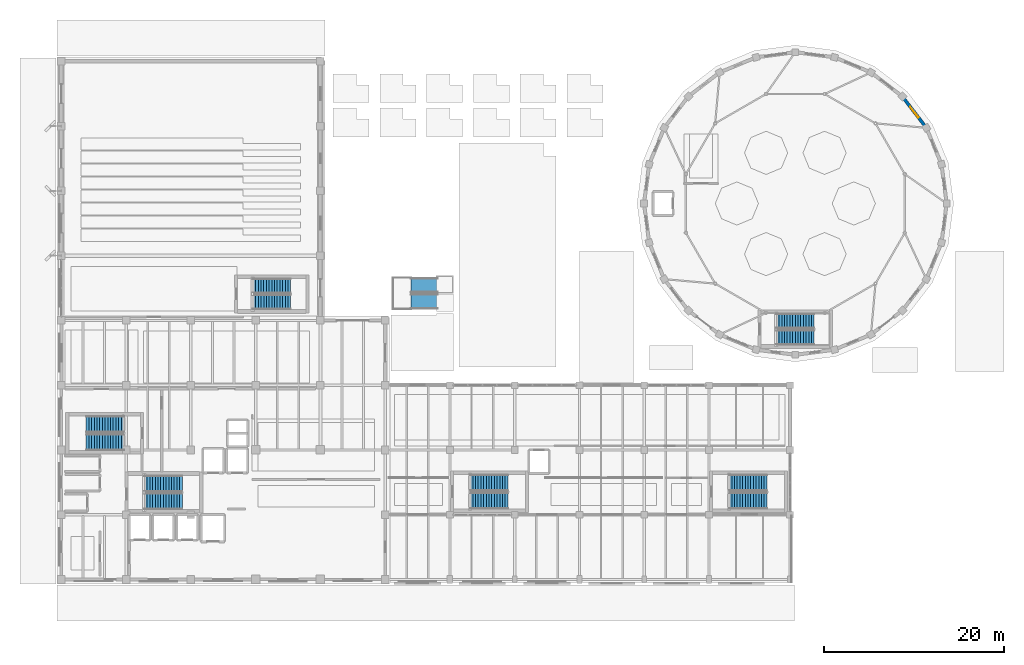
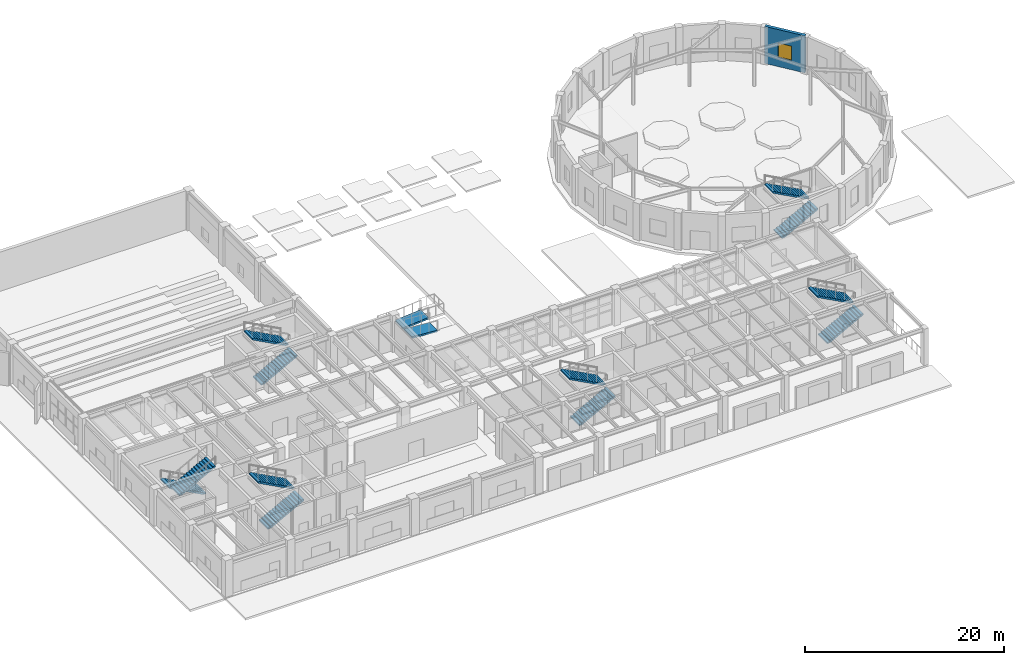
# One storey, part 29 of 39: 12 stair flights, 2 ramp flights, 1 wall, 1 window, 1 opening, 7 elements without a shape of their own.
"""IFC4 building model written with IfcOpenShell, lengths in metres."""

import ifcopenshell
import ifcopenshell.guid

model = None  # the IFC model being written
_history = None  # IfcOwnerHistory: only IFC2X3 demands one
_inside = {}  # id of a spatial element -> (the spatial element, [elements in it])
_under = {}  # id of a project, library or spatial element -> (it, [spatial elements below it])
_declared = {}  # id of a project -> (the project, [libraries it declares])
_typed = {}  # id of a type object -> (the type object, [elements of that type])
_made_of = {}  # id of a material, layer set ... -> (it, [elements and type objects made of it])


def new_model(schema):
    """Start an empty IFC model of exactly this schema.

    Asked for "IFC4X3", IfcOpenShell would pick the latest addendum, in which some entities
    have other attributes; the version numbers below select the first issue.
    IFC2X3 requires an IfcOwnerHistory on every rooted entity: one is made here for all.
    """
    global model, _history
    if schema == "IFC4X3":
        model = ifcopenshell.file(schema_version=(4, 3, 0, 0))
    else:
        model = ifcopenshell.file(schema=schema)
    _inside.clear()
    _under.clear()
    _declared.clear()
    _typed.clear()
    _made_of.clear()
    _history = None
    if model.schema == "IFC2X3":
        org = make("IfcOrganization", Name="unknown")
        user = make(
            "IfcPersonAndOrganization",
            ThePerson=make("IfcPerson", FamilyName="unknown"),
            TheOrganization=org,
        )
        app = make(
            "IfcApplication",
            ApplicationDeveloper=org,
            Version="unknown",
            ApplicationFullName="unknown",
            ApplicationIdentifier="unknown",
        )
        _history = make(
            "IfcOwnerHistory",
            OwningUser=user,
            OwningApplication=app,
            ChangeAction="ADDED",
            CreationDate=0,
        )
    return model


def make(cls, **values):
    """One entity of the class cls with the attributes given. An attribute that is None is left unset."""
    return model.create_entity(
        cls, **{name: value for name, value in values.items() if value is not None}
    )


def rooted(cls, **values):
    """An entity with a GlobalId (a new one), such as an element, a storey or a relation."""
    return make(cls, GlobalId=ifcopenshell.guid.new(), OwnerHistory=_history, **values)


def si_unit(unit_type, name, prefix=None):
    """IfcSIUnit, for example si_unit("LENGTHUNIT", "METRE", prefix="MILLI")."""
    return make("IfcSIUnit", UnitType=unit_type, Prefix=prefix, Name=name)


def assignment(units):
    """IfcUnitAssignment: the units of a project."""
    return None if units is None else make("IfcUnitAssignment", Units=units)


def point(xyz):
    """IfcCartesianPoint."""
    return None if xyz is None else make("IfcCartesianPoint", Coordinates=xyz)


def direction(xyz):
    """IfcDirection."""
    return None if xyz is None else make("IfcDirection", DirectionRatios=xyz)


def frame(location, z_axis=None, x_axis=None):
    """IfcAxis2Placement3D, a coordinate frame: its origin and axes. An axis left out is left unset."""
    return make(
        "IfcAxis2Placement3D",
        Location=point(location),
        Axis=direction(z_axis),
        RefDirection=direction(x_axis),
    )


def frame_2d(location, x_axis=None):
    """IfcAxis2Placement2D, a coordinate frame in the plane: its origin and x axis."""
    return make(
        "IfcAxis2Placement2D", Location=point(location), RefDirection=direction(x_axis)
    )


def origin():
    """The frame at (0, 0, 0) with its axes left unset."""
    return frame((0.0, 0.0, 0.0))


def place(relative_to, where):
    """IfcLocalPlacement: puts the frame where relative to a parent placement (None: the world)."""
    return make(
        "IfcLocalPlacement", PlacementRelTo=relative_to, RelativePlacement=where
    )


def context(
    kind, dimensions, precision=None, world=None, true_north=None, identifier=None
):
    """IfcGeometricRepresentationContext, for example the 3D "Model" context."""
    return make(
        "IfcGeometricRepresentationContext",
        ContextIdentifier=identifier,
        ContextType=kind,
        CoordinateSpaceDimension=dimensions,
        Precision=precision,
        WorldCoordinateSystem=world,
        TrueNorth=true_north,
    )


def subcontext(parent, identifier, kind, view, scale=None):
    """IfcGeometricRepresentationSubContext, for example "Body" below "Model"."""
    return make(
        "IfcGeometricRepresentationSubContext",
        ContextIdentifier=identifier,
        ContextType=kind,
        ParentContext=parent,
        TargetScale=scale,
        TargetView=view,
    )


def project(units=None, contexts=None):
    """IfcProject with its units and contexts."""
    return rooted(
        "IfcProject",
        Name="project",
        RepresentationContexts=contexts,
        UnitsInContext=assignment(units),
    )


def spatial(cls, under=None, at=None, **own):
    """A site, building, storey or space (cls), placed at a placement, below another one or the project."""
    s = rooted(cls, ObjectPlacement=at, **own)
    if under is not None:
        _under.setdefault(under.id(), (under, []))[1].append(s)
    return s


def polyline(points):
    """IfcPolyline through the points."""
    return make("IfcPolyline", Points=[point(p) for p in points])


def profile(cls, at=None, kind="AREA", **sizes):
    """A parametric profile (cls). Its sizes go by their IFC names, for example OverallWidth=200.0."""
    return make(cls, ProfileType=kind, Position=at, **sizes)


def rectangle(**sizes):
    """IfcRectangleProfileDef."""
    return profile("IfcRectangleProfileDef", **sizes)


def outline(outer, holes=None, kind="AREA"):
    """IfcArbitraryClosedProfileDef: a profile drawn as a closed curve; with holes, ...WithVoids."""
    if holes is None:
        return make("IfcArbitraryClosedProfileDef", ProfileType=kind, OuterCurve=outer)
    return make(
        "IfcArbitraryProfileDefWithVoids",
        ProfileType=kind,
        OuterCurve=outer,
        InnerCurves=holes,
    )


def extrude(swept, where, along, depth):
    """IfcExtrudedAreaSolid: the profile swept, set in the frame where, extruded along a direction by depth."""
    return make(
        "IfcExtrudedAreaSolid",
        SweptArea=swept,
        Position=where,
        ExtrudedDirection=direction(along),
        Depth=depth,
    )


def shape(context_of_items, identifier, shape_type, items):
    """IfcShapeRepresentation: the items that make up one representation, for example the "Body"."""
    return make(
        "IfcShapeRepresentation",
        ContextOfItems=context_of_items,
        RepresentationIdentifier=identifier,
        RepresentationType=shape_type,
        Items=items,
    )


def material(Name=None, Category=None):
    """IfcMaterial."""
    return make("IfcMaterial", Name=Name, Category=Category)


def layer(
    of_material, thickness, ventilated=None, Name=None, Category=None, Priority=None
):
    """IfcMaterialLayer: one layer of a wall or slab, of a material (None: an air gap)."""
    return make(
        "IfcMaterialLayer",
        Material=of_material,
        LayerThickness=thickness,
        IsVentilated=ventilated,
        Name=Name,
        Category=Category,
        Priority=Priority,
    )


def layer_set(layers, Name=None):
    """IfcMaterialLayerSet."""
    return make("IfcMaterialLayerSet", MaterialLayers=layers, LayerSetName=Name)


def made_of(thing, what):
    """Note that an element or type object is made of a material, layer set ...; save() writes the relation."""
    if what is not None:
        _made_of.setdefault(what.id(), (what, []))[1].append(thing)
    return thing


def type_object(cls, material=None, **own):
    """A type object (cls), such as IfcWallType, which elements share."""
    return made_of(rooted(cls, **own), material)


def element(
    cls,
    number,
    at=None,
    inside=None,
    cuts=None,
    type_object=None,
    material=None,
    context=None,
    identifier="Body",
    shape_type=None,
    held_by="IfcProductDefinitionShape",
    body=None,
    shapes=None,
    **own,
):
    """One element of the class cls, such as IfcWall. Its Tag is "e" and its number.

    at: its placement. inside: the storey or other place that contains it. cuts: it is an
    opening in that element (IfcRelVoidsElement). A single representation is given by context,
    identifier, shape_type and body (its items); several are given by shapes. held_by: the class
    of the entity that holds the representations. save() writes the other relations.
    """
    e = rooted(cls, Tag="e%d" % number, ObjectPlacement=at, **own)
    if body is not None:
        shapes = [shape(context, identifier, shape_type, body)]
    if shapes is not None:
        e.Representation = make(held_by, Representations=shapes)
    if inside is not None:
        _inside.setdefault(inside.id(), (inside, []))[1].append(e)
    if cuts is not None:
        rooted(
            "IfcRelVoidsElement", RelatingBuildingElement=cuts, RelatedOpeningElement=e
        )
    if type_object is not None:
        _typed.setdefault(type_object.id(), (type_object, []))[1].append(e)
    return made_of(e, material)


def fill(opening, filler):
    """IfcRelFillsElement: the door or window that sits in an opening."""
    return rooted(
        "IfcRelFillsElement",
        RelatingOpeningElement=opening,
        RelatedBuildingElement=filler,
    )


def aggregate(whole, parts):
    """IfcRelAggregates: a whole, such as a stair, and the parts it consists of."""
    return rooted("IfcRelAggregates", RelatingObject=whole, RelatedObjects=parts)


def save(model, path):
    """Write the relations noted so far, then the file.

    IfcRelAggregates (storeys below a building ...), IfcRelContainedInSpatialStructure (elements
    in a storey), IfcRelDefinesByType, IfcRelAssociatesMaterial and IfcRelDeclares: one each for
    every whole, place, type object, material and project.
    """
    for whole, parts in _under.values():
        aggregate(whole, parts)
    for where, things in _inside.values():
        rooted(
            "IfcRelContainedInSpatialStructure",
            RelatedElements=things,
            RelatingStructure=where,
        )
    for kind, things in _typed.values():
        rooted("IfcRelDefinesByType", RelatedObjects=things, RelatingType=kind)
    for what, things in _made_of.values():
        rooted("IfcRelAssociatesMaterial", RelatedObjects=things, RelatingMaterial=what)
    for by, libraries in _declared.values():
        rooted("IfcRelDeclares", RelatingContext=by, RelatedDefinitions=libraries)
    model.write(path)


model = new_model("IFC4")

# Units and contexts
model_context = context("Model", 3, precision=1e-05, world=origin(), true_north=direction((0.0, 1.0)))
body_context = subcontext(model_context, "Body", "Model", "MODEL_VIEW")
ifc_project = project(units=[si_unit("LENGTHUNIT", "METRE"), si_unit("AREAUNIT", "SQUARE_METRE"), si_unit("VOLUMEUNIT", "CUBIC_METRE"), si_unit("PLANEANGLEUNIT", "RADIAN"), si_unit("MASSUNIT", "GRAM", prefix="KILO")], contexts=[model_context])

# Site, building, storey
site_placement = place(None, origin())
site = spatial("IfcSite", under=ifc_project, at=site_placement, CompositionType="ELEMENT")
building_placement = place(site_placement, origin())
building = spatial("IfcBuilding", under=site, at=building_placement, Name="Kandorven Conservatory and Botanical Research Centre", CompositionType="ELEMENT")
storey_placement = place(building_placement, origin())
storey = spatial("IfcBuildingStorey", under=building, at=storey_placement, Name="L00", CompositionType="ELEMENT", Elevation=0.0)

# Wall, opening, window
ifc_material_1 = material(Name="Concrete C40/50 (M50)", Category="concrete")
ifc_layer_1 = layer(ifc_material_1, 0.35009765625)
ifc_layer_set_1 = layer_set([ifc_layer_1], Name="Concrete C40/50 (M50)")
wall_type = type_object("IfcWallType", Name="Wall_EW-DR-01", PredefinedType="STANDARD", material=ifc_layer_set_1)
wall_placement = place(storey_placement, frame((102.1708984375, 56.21240234375, 0.0), z_axis=(0.0, 0.0, 1.0), x_axis=(-0.608759396381, 0.793354899977, 0.0)))
wall = element("IfcWall", 1, at=wall_placement, inside=storey, type_object=wall_type, Name="Conservatory board-marked concrete drum wall S03", PredefinedType="STANDARD", context=body_context, shape_type="SweptSolid", body=[
    extrude(rectangle(XDim=4.392333984375, YDim=0.35009765625, at=frame_2d((2.1962890625, 0.0))), origin(), (0.0, 0.0, 1.0), 4.550048828125),
])
opening_placement = place(wall_placement, frame((1.446044921875, 0.0, 1.10009765625)))
opening = element("IfcOpeningElement", 2, at=opening_placement, cuts=wall, Name="Opening W-03", PredefinedType="OPENING", context=body_context, shape_type="SweptSolid", body=[
    extrude(rectangle(XDim=1.5, YDim=1.800048828125, at=frame_2d((0.75, 0.89990234375))), frame((0.0, 0.18505859375, 0.0), z_axis=(0.0, -1.0, 0.0), x_axis=(1.0, 0.0, 0.0)), (0.0, 0.0, 1.0), 0.3701171875),
])
ifc_material_2 = material(Name="Double-glazed solar-control low-E glass", Category="glass")
window_type = type_object("IfcWindowType", Name="Win_W-03", PartitioningType="DOUBLE_PANEL_VERTICAL", PredefinedType="WINDOW", material=ifc_material_2)
window_placement = place(opening_placement, origin())
window = element("IfcWindow", 3, at=window_placement, inside=storey, type_object=window_type, Name="Conservatory splayed drum window W-03", OverallHeight=1.800048828125, OverallWidth=1.5, PartitioningType="SINGLE_PANEL", PredefinedType="WINDOW", context=body_context, shape_type="SweptSolid", body=[
    extrude(rectangle(XDim=1.5, YDim=1.800048828125, at=frame_2d((0.75, 0.89990234375))), frame((0.0, 0.030029296875, 0.0), z_axis=(0.0, -1.0, 0.0), x_axis=(1.0, 0.0, 0.0)), (0.0, 0.0, 1.0), 0.06005859375),
])
fill(opening, window)

# Stair, stair flights
ifc_material_3 = material(Name="Concrete C32/40 (M40)", Category="concrete")
stair_type_1 = type_object("IfcStairType", Name="Stair_1650", PredefinedType="HALF_TURN_STAIR", material=ifc_material_3)
stair_1_placement = place(storey_placement, origin())
stair_1 = element("IfcStair", 4, at=stair_1_placement, inside=storey, type_object=stair_type_1, Name="L00 Conservatory Canopy Stair ST-V1", PredefinedType="HALF_TURN_STAIR")
ifc_material_4 = material(Name="Concrete C32/40 (M40)", Category="concrete")
ifc_layer_2 = layer(ifc_material_4, 0.14990234375)
ifc_layer_set_2 = layer_set([ifc_layer_2], Name="Concrete C32/40 (M40)")
stair_flight_type_1 = type_object("IfcStairFlightType", Name="Flight_1650", PredefinedType="STRAIGHT", material=ifc_layer_set_2)
stair_flight_1_placement = place(storey_placement, frame((85.5, 32.925048828125, 0.0), z_axis=(0.0, 0.0, 1.0), x_axis=(1.0, 0.0, 0.0)))
stair_flight_1 = element("IfcStairFlight", 5, at=stair_flight_1_placement, type_object=stair_flight_type_1, Name="ST-V1 flight 1", NumberOfRisers=15, NumberOfTreads=14, PredefinedType="STRAIGHT", RiserHeight=0.16, TreadLength=0.3, context=body_context, shape_type="SweptSolid", body=[
    extrude(outline(polyline([(0.0, 0.0), (0.0, 0.159912109375), (0.300048828125, 0.159912109375), (0.300048828125, 0.320068359375), (0.60009765625, 0.320068359375), (0.60009765625, 0.47998046875), (0.89990234375, 0.47998046875), (0.89990234375, 0.639892578125), (1.199951171875, 0.639892578125), (1.199951171875, 0.800048828125), (1.5, 0.800048828125), (1.5, 0.9599609375), (1.800048828125, 0.9599609375), (1.800048828125, 1.1201171875), (2.10009765625, 1.1201171875), (2.10009765625, 1.280029296875), (2.39990234375, 1.280029296875), (2.39990234375, 1.43994140625), (2.699951171875, 1.43994140625), (2.699951171875, 1.60009765625), (3.0, 1.60009765625), (3.0, 1.760009765625), (3.300048828125, 1.760009765625), (3.300048828125, 1.919921875), (3.60009765625, 1.919921875), (3.60009765625, 2.080078125), (3.89990234375, 2.080078125), (3.89990234375, 2.239990234375), (4.199951171875, 2.239990234375), (4.199951171875, 2.39990234375), (4.199951171875, 2.070068359375), (0.318603515625, 0.0), (0.0, 0.0)])), frame((0.0, 0.824951171875, 0.0), z_axis=(0.0, -1.0, 0.0), x_axis=(1.0, 0.0, 0.0)), (0.0, 0.0, 1.0), 1.64990234375),
])
stair_flight_2_placement = place(storey_placement, frame((89.699462890625, 34.72509765625, 2.39990234375), z_axis=(0.0, 0.0, 1.0), x_axis=(-1.0, 0.0, 0.0)))
stair_flight_2 = element("IfcStairFlight", 6, at=stair_flight_2_placement, type_object=stair_flight_type_1, Name="ST-V1 flight 2", NumberOfRisers=15, NumberOfTreads=14, PredefinedType="STRAIGHT", RiserHeight=0.16, TreadLength=0.3, context=body_context, shape_type="SweptSolid", body=[
    extrude(outline(polyline([(0.0, 0.0), (0.0, 0.159912109375), (0.300048828125, 0.159912109375), (0.300048828125, 0.320068359375), (0.60009765625, 0.320068359375), (0.60009765625, 0.47998046875), (0.89990234375, 0.47998046875), (0.89990234375, 0.639892578125), (1.199951171875, 0.639892578125), (1.199951171875, 0.800048828125), (1.5, 0.800048828125), (1.5, 0.9599609375), (1.800048828125, 0.9599609375), (1.800048828125, 1.1201171875), (2.10009765625, 1.1201171875), (2.10009765625, 1.280029296875), (2.39990234375, 1.280029296875), (2.39990234375, 1.43994140625), (2.699951171875, 1.43994140625), (2.699951171875, 1.60009765625), (3.0, 1.60009765625), (3.0, 1.760009765625), (3.300048828125, 1.760009765625), (3.300048828125, 1.919921875), (3.60009765625, 1.919921875), (3.60009765625, 2.080078125), (3.89990234375, 2.080078125), (3.89990234375, 2.239990234375), (4.199951171875, 2.239990234375), (4.199951171875, 2.39990234375), (4.199951171875, 2.070068359375), (0.318603515625, 0.0), (0.0, 0.0)])), frame((0.0, 0.824951171875, 0.0), z_axis=(0.0, -1.0, 0.0), x_axis=(1.0, 0.0, 0.0)), (0.0, 0.0, 1.0), 1.64990234375),
])
aggregate(stair_1, [stair_flight_1, stair_flight_2])

stair_2_placement = place(storey_placement, origin())
stair_2 = element("IfcStair", 7, at=stair_2_placement, inside=storey, type_object=stair_type_1, Name="L00 Auditorium Gallery Stair ST-V2", PredefinedType="HALF_TURN_STAIR")
stair_flight_3_placement = place(storey_placement, frame((27.300048828125, 36.824951171875, 0.0), z_axis=(0.0, 0.0, 1.0), x_axis=(1.0, 0.0, 0.0)))
stair_flight_3 = element("IfcStairFlight", 8, at=stair_flight_3_placement, type_object=stair_flight_type_1, Name="ST-V2 flight 1", NumberOfRisers=15, NumberOfTreads=14, PredefinedType="STRAIGHT", RiserHeight=0.16, TreadLength=0.3, context=body_context, shape_type="SweptSolid", body=[
    extrude(outline(polyline([(0.0, 0.0), (0.0, 0.159912109375), (0.300048828125, 0.159912109375), (0.300048828125, 0.320068359375), (0.60009765625, 0.320068359375), (0.60009765625, 0.47998046875), (0.89990234375, 0.47998046875), (0.89990234375, 0.639892578125), (1.199951171875, 0.639892578125), (1.199951171875, 0.800048828125), (1.5, 0.800048828125), (1.5, 0.9599609375), (1.800048828125, 0.9599609375), (1.800048828125, 1.1201171875), (2.10009765625, 1.1201171875), (2.10009765625, 1.280029296875), (2.39990234375, 1.280029296875), (2.39990234375, 1.43994140625), (2.699951171875, 1.43994140625), (2.699951171875, 1.60009765625), (3.0, 1.60009765625), (3.0, 1.760009765625), (3.300048828125, 1.760009765625), (3.300048828125, 1.919921875), (3.60009765625, 1.919921875), (3.60009765625, 2.080078125), (3.89990234375, 2.080078125), (3.89990234375, 2.239990234375), (4.199951171875, 2.239990234375), (4.199951171875, 2.39990234375), (4.199951171875, 2.070068359375), (0.318603515625, 0.0), (0.0, 0.0)])), frame((0.0, 0.824951171875, 0.0), z_axis=(0.0, -1.0, 0.0), x_axis=(1.0, 0.0, 0.0)), (0.0, 0.0, 1.0), 1.64990234375),
])
stair_flight_4_placement = place(storey_placement, frame((31.49951171875, 38.625, 2.39990234375), z_axis=(0.0, 0.0, 1.0), x_axis=(-1.0, 0.0, 0.0)))
stair_flight_4 = element("IfcStairFlight", 9, at=stair_flight_4_placement, type_object=stair_flight_type_1, Name="ST-V2 flight 2", NumberOfRisers=15, NumberOfTreads=14, PredefinedType="STRAIGHT", RiserHeight=0.16, TreadLength=0.3, context=body_context, shape_type="SweptSolid", body=[
    extrude(outline(polyline([(0.0, 0.0), (0.0, 0.159912109375), (0.300048828125, 0.159912109375), (0.300048828125, 0.320068359375), (0.60009765625, 0.320068359375), (0.60009765625, 0.47998046875), (0.89990234375, 0.47998046875), (0.89990234375, 0.639892578125), (1.199951171875, 0.639892578125), (1.199951171875, 0.800048828125), (1.5, 0.800048828125), (1.5, 0.9599609375), (1.800048828125, 0.9599609375), (1.800048828125, 1.1201171875), (2.10009765625, 1.1201171875), (2.10009765625, 1.280029296875), (2.39990234375, 1.280029296875), (2.39990234375, 1.43994140625), (2.699951171875, 1.43994140625), (2.699951171875, 1.60009765625), (3.0, 1.60009765625), (3.0, 1.760009765625), (3.300048828125, 1.760009765625), (3.300048828125, 1.919921875), (3.60009765625, 1.919921875), (3.60009765625, 2.080078125), (3.89990234375, 2.080078125), (3.89990234375, 2.239990234375), (4.199951171875, 2.239990234375), (4.199951171875, 2.39990234375), (4.199951171875, 2.070068359375), (0.318603515625, 0.0), (0.0, 0.0)])), frame((0.0, 0.824951171875, 0.0), z_axis=(0.0, -1.0, 0.0), x_axis=(1.0, 0.0, 0.0)), (0.0, 0.0, 1.0), 1.64990234375),
])
aggregate(stair_2, [stair_flight_3, stair_flight_4])

ifc_material_5 = material(Name="Concrete C32/40 (M40)", Category="concrete")
stair_type_2 = type_object("IfcStairType", Name="Stair_1820", PredefinedType="HALF_TURN_STAIR", material=ifc_material_5)
stair_3_placement = place(storey_placement, origin())
stair_3 = element("IfcStair", 10, at=stair_3_placement, inside=storey, type_object=stair_type_2, Name="L00 Tower Fire Stair ST-T1", PredefinedType="HALF_TURN_STAIR")
ifc_material_6 = material(Name="Concrete C32/40 (M40)", Category="concrete")
ifc_layer_3 = layer(ifc_material_6, 0.14990234375)
ifc_layer_set_3 = layer_set([ifc_layer_3], Name="Concrete C32/40 (M40)")
stair_flight_type_2 = type_object("IfcStairFlightType", Name="Flight_1820", PredefinedType="STRAIGHT", material=ifc_layer_set_3)
stair_flight_5_placement = place(storey_placement, frame((15.239990234375, 14.68994140625, 0.0), z_axis=(0.0, 0.0, 1.0), x_axis=(1.0, 0.0, 0.0)))
stair_flight_5 = element("IfcStairFlight", 11, at=stair_flight_5_placement, type_object=stair_flight_type_2, Name="ST-T1 flight 1", NumberOfRisers=15, NumberOfTreads=14, PredefinedType="STRAIGHT", RiserHeight=0.16, TreadLength=0.3, context=body_context, shape_type="SweptSolid", body=[
    extrude(outline(polyline([(0.0, 0.0), (0.0, 0.159912109375), (0.300048828125, 0.159912109375), (0.300048828125, 0.320068359375), (0.60009765625, 0.320068359375), (0.60009765625, 0.47998046875), (0.89990234375, 0.47998046875), (0.89990234375, 0.639892578125), (1.199951171875, 0.639892578125), (1.199951171875, 0.800048828125), (1.5, 0.800048828125), (1.5, 0.9599609375), (1.800048828125, 0.9599609375), (1.800048828125, 1.1201171875), (2.10009765625, 1.1201171875), (2.10009765625, 1.280029296875), (2.39990234375, 1.280029296875), (2.39990234375, 1.43994140625), (2.699951171875, 1.43994140625), (2.699951171875, 1.60009765625), (3.0, 1.60009765625), (3.0, 1.760009765625), (3.300048828125, 1.760009765625), (3.300048828125, 1.919921875), (3.60009765625, 1.919921875), (3.60009765625, 2.080078125), (3.89990234375, 2.080078125), (3.89990234375, 2.239990234375), (4.199951171875, 2.239990234375), (4.199951171875, 2.39990234375), (4.199951171875, 2.070068359375), (0.318603515625, 0.0), (0.0, 0.0)])), frame((0.0, 0.91015625, 0.0), z_axis=(0.0, -1.0, 0.0), x_axis=(1.0, 0.0, 0.0)), (0.0, 0.0, 1.0), 1.820068359375),
])
stair_flight_6_placement = place(storey_placement, frame((19.439453125, 16.659912109375, 2.39990234375), z_axis=(0.0, 0.0, 1.0), x_axis=(-1.0, 0.0, 0.0)))
stair_flight_6 = element("IfcStairFlight", 12, at=stair_flight_6_placement, type_object=stair_flight_type_2, Name="ST-T1 flight 2", NumberOfRisers=15, NumberOfTreads=14, PredefinedType="STRAIGHT", RiserHeight=0.16, TreadLength=0.3, context=body_context, shape_type="SweptSolid", body=[
    extrude(outline(polyline([(0.0, 0.0), (0.0, 0.159912109375), (0.300048828125, 0.159912109375), (0.300048828125, 0.320068359375), (0.60009765625, 0.320068359375), (0.60009765625, 0.47998046875), (0.89990234375, 0.47998046875), (0.89990234375, 0.639892578125), (1.199951171875, 0.639892578125), (1.199951171875, 0.800048828125), (1.5, 0.800048828125), (1.5, 0.9599609375), (1.800048828125, 0.9599609375), (1.800048828125, 1.1201171875), (2.10009765625, 1.1201171875), (2.10009765625, 1.280029296875), (2.39990234375, 1.280029296875), (2.39990234375, 1.43994140625), (2.699951171875, 1.43994140625), (2.699951171875, 1.60009765625), (3.0, 1.60009765625), (3.0, 1.760009765625), (3.300048828125, 1.760009765625), (3.300048828125, 1.919921875), (3.60009765625, 1.919921875), (3.60009765625, 2.080078125), (3.89990234375, 2.080078125), (3.89990234375, 2.239990234375), (4.199951171875, 2.239990234375), (4.199951171875, 2.39990234375), (4.199951171875, 2.070068359375), (0.318603515625, 0.0), (0.0, 0.0)])), frame((0.0, 0.91015625, 0.0), z_axis=(0.0, -1.0, 0.0), x_axis=(1.0, 0.0, 0.0)), (0.0, 0.0, 1.0), 1.820068359375),
])
aggregate(stair_3, [stair_flight_5, stair_flight_6])

stair_4_placement = place(storey_placement, origin())
stair_4 = element("IfcStair", 13, at=stair_4_placement, inside=storey, type_object=stair_type_2, Name="L00 Tower Fire Stair ST-T2", PredefinedType="HALF_TURN_STAIR")
stair_flight_7_placement = place(storey_placement, frame((12.9599609375, 23.239990234375, 0.0), z_axis=(0.0, 0.0, 1.0), x_axis=(-1.0, 0.0, 0.0)))
stair_flight_7 = element("IfcStairFlight", 14, at=stair_flight_7_placement, type_object=stair_flight_type_2, Name="ST-T2 flight 1", NumberOfRisers=15, NumberOfTreads=14, PredefinedType="STRAIGHT", RiserHeight=0.16, TreadLength=0.3, context=body_context, shape_type="SweptSolid", body=[
    extrude(outline(polyline([(0.0, 0.0), (0.0, 0.159912109375), (0.300048828125, 0.159912109375), (0.300048828125, 0.320068359375), (0.60009765625, 0.320068359375), (0.60009765625, 0.47998046875), (0.89990234375, 0.47998046875), (0.89990234375, 0.639892578125), (1.199951171875, 0.639892578125), (1.199951171875, 0.800048828125), (1.5, 0.800048828125), (1.5, 0.9599609375), (1.800048828125, 0.9599609375), (1.800048828125, 1.1201171875), (2.10009765625, 1.1201171875), (2.10009765625, 1.280029296875), (2.39990234375, 1.280029296875), (2.39990234375, 1.43994140625), (2.699951171875, 1.43994140625), (2.699951171875, 1.60009765625), (3.0, 1.60009765625), (3.0, 1.760009765625), (3.300048828125, 1.760009765625), (3.300048828125, 1.919921875), (3.60009765625, 1.919921875), (3.60009765625, 2.080078125), (3.89990234375, 2.080078125), (3.89990234375, 2.239990234375), (4.199951171875, 2.239990234375), (4.199951171875, 2.39990234375), (4.199951171875, 2.070068359375), (0.318603515625, 0.0), (0.0, 0.0)])), frame((0.0, 0.91015625, 0.0), z_axis=(0.0, -1.0, 0.0), x_axis=(1.0, 0.0, 0.0)), (0.0, 0.0, 1.0), 1.820068359375),
])
stair_flight_8_placement = place(storey_placement, frame((8.760498046875, 21.27001953125, 2.39990234375), z_axis=(0.0, 0.0, 1.0), x_axis=(1.0, 0.0, 0.0)))
stair_flight_8 = element("IfcStairFlight", 15, at=stair_flight_8_placement, type_object=stair_flight_type_2, Name="ST-T2 flight 2", NumberOfRisers=15, NumberOfTreads=14, PredefinedType="STRAIGHT", RiserHeight=0.16, TreadLength=0.3, context=body_context, shape_type="SweptSolid", body=[
    extrude(outline(polyline([(0.0, 0.0), (0.0, 0.159912109375), (0.300048828125, 0.159912109375), (0.300048828125, 0.320068359375), (0.60009765625, 0.320068359375), (0.60009765625, 0.47998046875), (0.89990234375, 0.47998046875), (0.89990234375, 0.639892578125), (1.199951171875, 0.639892578125), (1.199951171875, 0.800048828125), (1.5, 0.800048828125), (1.5, 0.9599609375), (1.800048828125, 0.9599609375), (1.800048828125, 1.1201171875), (2.10009765625, 1.1201171875), (2.10009765625, 1.280029296875), (2.39990234375, 1.280029296875), (2.39990234375, 1.43994140625), (2.699951171875, 1.43994140625), (2.699951171875, 1.60009765625), (3.0, 1.60009765625), (3.0, 1.760009765625), (3.300048828125, 1.760009765625), (3.300048828125, 1.919921875), (3.60009765625, 1.919921875), (3.60009765625, 2.080078125), (3.89990234375, 2.080078125), (3.89990234375, 2.239990234375), (4.199951171875, 2.239990234375), (4.199951171875, 2.39990234375), (4.199951171875, 2.070068359375), (0.318603515625, 0.0), (0.0, 0.0)])), frame((0.0, 0.91015625, 0.0), z_axis=(0.0, -1.0, 0.0), x_axis=(1.0, 0.0, 0.0)), (0.0, 0.0, 1.0), 1.820068359375),
])
aggregate(stair_4, [stair_flight_7, stair_flight_8])

stair_5_placement = place(storey_placement, origin())
stair_5 = element("IfcStair", 16, at=stair_5_placement, inside=storey, type_object=stair_type_2, Name="L00 Visitor Wing Stair ST-V3A", PredefinedType="HALF_TURN_STAIR")
stair_flight_9_placement = place(storey_placement, frame((51.43994140625, 14.760009765625, 0.0), z_axis=(0.0, 0.0, 1.0), x_axis=(1.0, 0.0, 0.0)))
stair_flight_9 = element("IfcStairFlight", 17, at=stair_flight_9_placement, type_object=stair_flight_type_2, Name="ST-V3A flight 1", NumberOfRisers=15, NumberOfTreads=14, PredefinedType="STRAIGHT", RiserHeight=0.16, TreadLength=0.3, context=body_context, shape_type="SweptSolid", body=[
    extrude(outline(polyline([(0.0, 0.0), (0.0, 0.159912109375), (0.300048828125, 0.159912109375), (0.300048828125, 0.320068359375), (0.60009765625, 0.320068359375), (0.60009765625, 0.47998046875), (0.89990234375, 0.47998046875), (0.89990234375, 0.639892578125), (1.199951171875, 0.639892578125), (1.199951171875, 0.800048828125), (1.5, 0.800048828125), (1.5, 0.9599609375), (1.800048828125, 0.9599609375), (1.800048828125, 1.1201171875), (2.10009765625, 1.1201171875), (2.10009765625, 1.280029296875), (2.39990234375, 1.280029296875), (2.39990234375, 1.43994140625), (2.699951171875, 1.43994140625), (2.699951171875, 1.60009765625), (3.0, 1.60009765625), (3.0, 1.760009765625), (3.300048828125, 1.760009765625), (3.300048828125, 1.919921875), (3.60009765625, 1.919921875), (3.60009765625, 2.080078125), (3.89990234375, 2.080078125), (3.89990234375, 2.239990234375), (4.199951171875, 2.239990234375), (4.199951171875, 2.39990234375), (4.199951171875, 2.070068359375), (0.318603515625, 0.0), (0.0, 0.0)])), frame((0.0, 0.91015625, 0.0), z_axis=(0.0, -1.0, 0.0), x_axis=(1.0, 0.0, 0.0)), (0.0, 0.0, 1.0), 1.820068359375),
])
stair_flight_10_placement = place(storey_placement, frame((55.639404296875, 16.72998046875, 2.39990234375), z_axis=(0.0, 0.0, 1.0), x_axis=(-1.0, 0.0, 0.0)))
stair_flight_10 = element("IfcStairFlight", 18, at=stair_flight_10_placement, type_object=stair_flight_type_2, Name="ST-V3A flight 2", NumberOfRisers=15, NumberOfTreads=14, PredefinedType="STRAIGHT", RiserHeight=0.16, TreadLength=0.3, context=body_context, shape_type="SweptSolid", body=[
    extrude(outline(polyline([(0.0, 0.0), (0.0, 0.159912109375), (0.300048828125, 0.159912109375), (0.300048828125, 0.320068359375), (0.60009765625, 0.320068359375), (0.60009765625, 0.47998046875), (0.89990234375, 0.47998046875), (0.89990234375, 0.639892578125), (1.199951171875, 0.639892578125), (1.199951171875, 0.800048828125), (1.5, 0.800048828125), (1.5, 0.9599609375), (1.800048828125, 0.9599609375), (1.800048828125, 1.1201171875), (2.10009765625, 1.1201171875), (2.10009765625, 1.280029296875), (2.39990234375, 1.280029296875), (2.39990234375, 1.43994140625), (2.699951171875, 1.43994140625), (2.699951171875, 1.60009765625), (3.0, 1.60009765625), (3.0, 1.760009765625), (3.300048828125, 1.760009765625), (3.300048828125, 1.919921875), (3.60009765625, 1.919921875), (3.60009765625, 2.080078125), (3.89990234375, 2.080078125), (3.89990234375, 2.239990234375), (4.199951171875, 2.239990234375), (4.199951171875, 2.39990234375), (4.199951171875, 2.070068359375), (0.318603515625, 0.0), (0.0, 0.0)])), frame((0.0, 0.91015625, 0.0), z_axis=(0.0, -1.0, 0.0), x_axis=(1.0, 0.0, 0.0)), (0.0, 0.0, 1.0), 1.820068359375),
])
aggregate(stair_5, [stair_flight_9, stair_flight_10])

stair_6_placement = place(storey_placement, origin())
stair_6 = element("IfcStair", 19, at=stair_6_placement, inside=storey, type_object=stair_type_2, Name="L00 Visitor Wing Stair ST-V3B", PredefinedType="HALF_TURN_STAIR")
stair_flight_11_placement = place(storey_placement, frame((80.239990234375, 14.760009765625, 0.0), z_axis=(0.0, 0.0, 1.0), x_axis=(1.0, 0.0, 0.0)))
stair_flight_11 = element("IfcStairFlight", 20, at=stair_flight_11_placement, type_object=stair_flight_type_2, Name="ST-V3B flight 1", NumberOfRisers=15, NumberOfTreads=14, PredefinedType="STRAIGHT", RiserHeight=0.16, TreadLength=0.3, context=body_context, shape_type="SweptSolid", body=[
    extrude(outline(polyline([(0.0, 0.0), (0.0, 0.159912109375), (0.300048828125, 0.159912109375), (0.300048828125, 0.320068359375), (0.60009765625, 0.320068359375), (0.60009765625, 0.47998046875), (0.89990234375, 0.47998046875), (0.89990234375, 0.639892578125), (1.199951171875, 0.639892578125), (1.199951171875, 0.800048828125), (1.5, 0.800048828125), (1.5, 0.9599609375), (1.800048828125, 0.9599609375), (1.800048828125, 1.1201171875), (2.10009765625, 1.1201171875), (2.10009765625, 1.280029296875), (2.39990234375, 1.280029296875), (2.39990234375, 1.43994140625), (2.699951171875, 1.43994140625), (2.699951171875, 1.60009765625), (3.0, 1.60009765625), (3.0, 1.760009765625), (3.300048828125, 1.760009765625), (3.300048828125, 1.919921875), (3.60009765625, 1.919921875), (3.60009765625, 2.080078125), (3.89990234375, 2.080078125), (3.89990234375, 2.239990234375), (4.199951171875, 2.239990234375), (4.199951171875, 2.39990234375), (4.199951171875, 2.070068359375), (0.318603515625, 0.0), (0.0, 0.0)])), frame((0.0, 0.91015625, 0.0), z_axis=(0.0, -1.0, 0.0), x_axis=(1.0, 0.0, 0.0)), (0.0, 0.0, 1.0), 1.820068359375),
])
stair_flight_12_placement = place(storey_placement, frame((84.439453125, 16.72998046875, 2.39990234375), z_axis=(0.0, 0.0, 1.0), x_axis=(-1.0, 0.0, 0.0)))
stair_flight_12 = element("IfcStairFlight", 21, at=stair_flight_12_placement, type_object=stair_flight_type_2, Name="ST-V3B flight 2", NumberOfRisers=15, NumberOfTreads=14, PredefinedType="STRAIGHT", RiserHeight=0.16, TreadLength=0.3, context=body_context, shape_type="SweptSolid", body=[
    extrude(outline(polyline([(0.0, 0.0), (0.0, 0.159912109375), (0.300048828125, 0.159912109375), (0.300048828125, 0.320068359375), (0.60009765625, 0.320068359375), (0.60009765625, 0.47998046875), (0.89990234375, 0.47998046875), (0.89990234375, 0.639892578125), (1.199951171875, 0.639892578125), (1.199951171875, 0.800048828125), (1.5, 0.800048828125), (1.5, 0.9599609375), (1.800048828125, 0.9599609375), (1.800048828125, 1.1201171875), (2.10009765625, 1.1201171875), (2.10009765625, 1.280029296875), (2.39990234375, 1.280029296875), (2.39990234375, 1.43994140625), (2.699951171875, 1.43994140625), (2.699951171875, 1.60009765625), (3.0, 1.60009765625), (3.0, 1.760009765625), (3.300048828125, 1.760009765625), (3.300048828125, 1.919921875), (3.60009765625, 1.919921875), (3.60009765625, 2.080078125), (3.89990234375, 2.080078125), (3.89990234375, 2.239990234375), (4.199951171875, 2.239990234375), (4.199951171875, 2.39990234375), (4.199951171875, 2.070068359375), (0.318603515625, 0.0), (0.0, 0.0)])), frame((0.0, 0.91015625, 0.0), z_axis=(0.0, -1.0, 0.0), x_axis=(1.0, 0.0, 0.0)), (0.0, 0.0, 1.0), 1.820068359375),
])
aggregate(stair_6, [stair_flight_11, stair_flight_12])

# Ramp, ramp flights
ifc_material_7 = material(Name="Concrete C32/40 (M40)", Category="concrete")
ramp_type = type_object("IfcRampType", Name="CourtyardAccessibleRamp", PredefinedType="TWO_STRAIGHT_RUN_RAMP", material=ifc_material_7)
ramp_placement = place(storey_placement, origin())
ramp = element("IfcRamp", 22, at=ramp_placement, inside=storey, type_object=ramp_type, Name="Courtyard step-free accessible ramp RMP-01 (1:12)", PredefinedType="TWO_STRAIGHT_RUN_RAMP")
ifc_material_8 = material(Name="Concrete C32/40 (M40)", Category="concrete")
ramp_flight_type = type_object("IfcRampFlightType", Name="CourtyardRampFlight", PredefinedType="STRAIGHT", material=ifc_material_8)
ramp_flight_1_placement = place(storey_placement, frame((44.8798828125, 37.699951171875, 0.0), z_axis=(0.0, 0.0, 1.0), x_axis=(1.0, 0.0, 0.0)))
ramp_flight_1 = element("IfcRampFlight", 23, at=ramp_flight_1_placement, type_object=ramp_flight_type, Name="Courtyard accessible ramp flight 1 (-0.48 m to -0.24 m)", PredefinedType="STRAIGHT", context=body_context, shape_type="SweptSolid", body=[
    extrude(outline(polyline([(0.0, -0.239990234375), (2.940185546875, -0.47998046875), (2.940185546875, -0.699951171875), (0.0, -0.4599609375), (0.0, -0.239990234375)])), frame((0.0, 0.0, 0.0), z_axis=(0.0, -1.0, 0.0), x_axis=(1.0, 0.0, 0.0)), (0.0, 0.0, 1.0), 1.599853515625),
])
ramp_flight_2_placement = place(storey_placement, frame((44.8798828125, 39.5, 0.0), z_axis=(0.0, 0.0, 1.0), x_axis=(1.0, 0.0, 0.0)))
ramp_flight_2 = element("IfcRampFlight", 24, at=ramp_flight_2_placement, type_object=ramp_flight_type, Name="Courtyard accessible ramp flight 2 (-0.24 m to 0.00 m)", PredefinedType="STRAIGHT", context=body_context, shape_type="SweptSolid", body=[
    extrude(outline(polyline([(0.0, -0.239990234375), (2.940185546875, 0.0), (2.940185546875, -0.219970703125), (0.0, -0.4599609375), (0.0, -0.239990234375)])), frame((0.0, 0.0, 0.0), z_axis=(0.0, -1.0, 0.0), x_axis=(1.0, 0.0, 0.0)), (0.0, 0.0, 1.0), 1.60009765625),
])
aggregate(ramp, [ramp_flight_1, ramp_flight_2])

save(model, "model.ifc")
